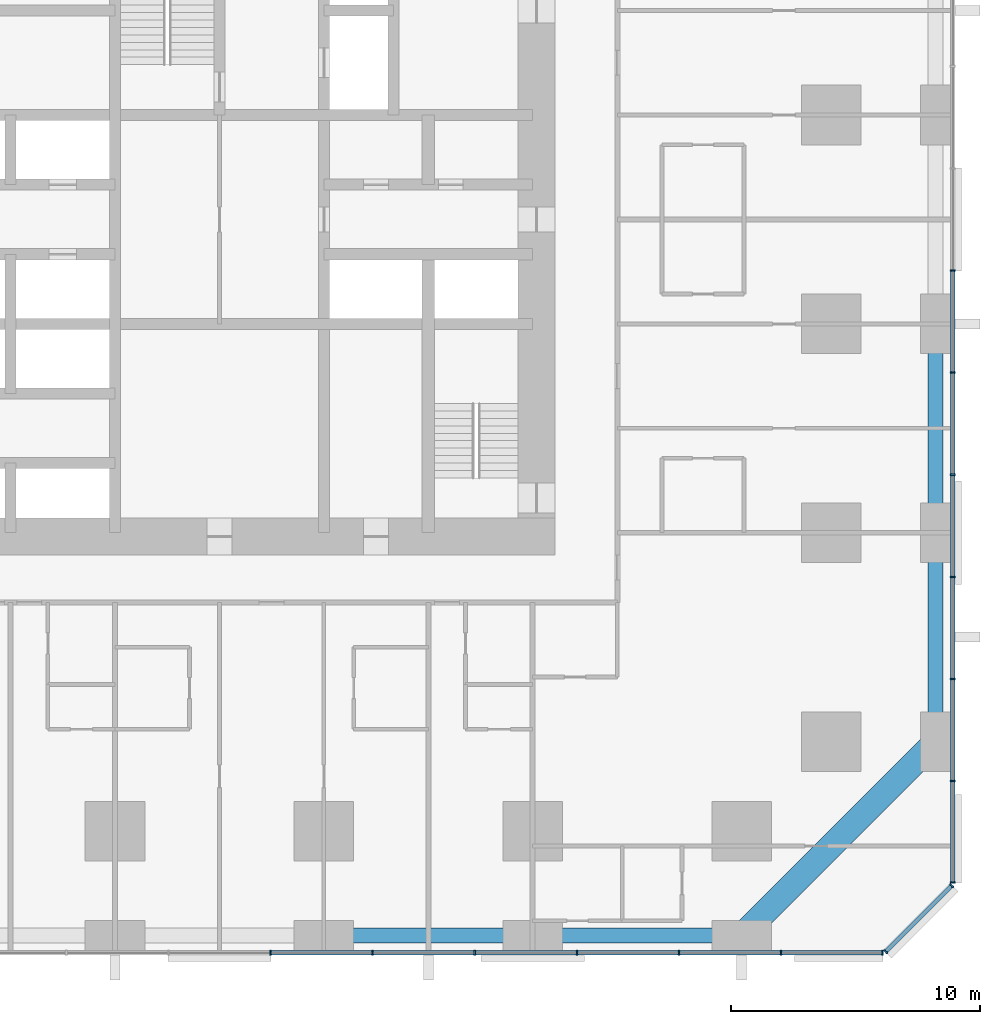
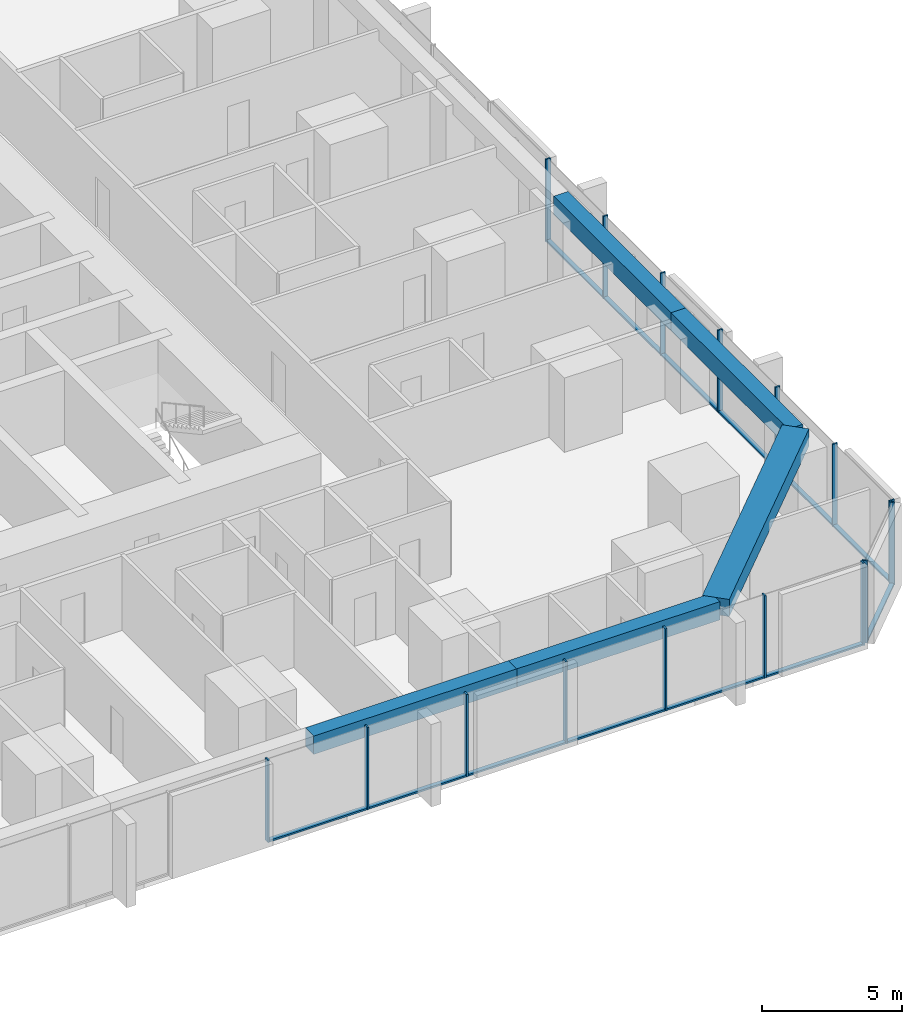
# One storey, part 4 of 17: 29 members, 5 beams, 3 elements without a shape of their own.
"""IFC4 building model written with IfcOpenShell, lengths in metres."""

from ifc_helpers import new_model, si_unit, direction, frame, origin, origin_2d, place, context, subcontext, project, spatial, rectangle, extrude, material, material_profile, profile_set, type_object, element, aggregate, save


model = new_model("IFC4")

# Units and contexts
model_context = context("Model", 3, precision=1e-05, world=origin(), true_north=direction((0.0, 1.0)))
body_context = subcontext(model_context, "Body", "Model", "MODEL_VIEW")
ifc_project = project(units=[si_unit("LENGTHUNIT", "METRE"), si_unit("AREAUNIT", "SQUARE_METRE"), si_unit("VOLUMEUNIT", "CUBIC_METRE"), si_unit("PLANEANGLEUNIT", "RADIAN"), si_unit("MASSUNIT", "GRAM", prefix="KILO")], contexts=[model_context])

# Site, building, storey
site_placement = place(None, origin())
site = spatial("IfcSite", under=ifc_project, at=site_placement, CompositionType="ELEMENT")
building_placement = place(site_placement, origin())
building = spatial("IfcBuilding", under=site, at=building_placement, Name="Dunama Terrace Hotel", CompositionType="ELEMENT")
storey_placement = place(building_placement, frame((0.0, 0.0, 81.0)))
storey = spatial("IfcBuildingStorey", under=building, at=storey_placement, Name="L20", CompositionType="ELEMENT", Elevation=81.0)

# Curtain wall, members
ifc_material_1 = material(Name="Aluminium curtain wall system", Category="aluminium")
curtain_wall_type = type_object("IfcCurtainWallType", Name="Unitised fritted glass wall CW-A", PredefinedType="NOTDEFINED", material=ifc_material_1)
curtain_wall_1_placement = place(storey_placement, origin())
curtain_wall_1 = element("IfcCurtainWall", 1, at=curtain_wall_1_placement, inside=storey, type_object=curtain_wall_type, Name="Unitised fritted glass wall CW-A L20", PredefinedType="NOTDEFINED")
ifc_material_2 = material(Name="Aluminium mullion", Category="aluminium")
ifc_material_profile_1 = material_profile(ifc_material_2, rectangle(XDim=0.06494140625, YDim=0.199951171875, at=origin_2d()), Name="CWA MULLION 65X200")
ifc_profile_set_1 = profile_set([ifc_material_profile_1], Name="Aluminium mullion")
member_type_1 = type_object("IfcMemberType", Name="CWA mullion 65x200", PredefinedType="MULLION", material=ifc_profile_set_1)
member_1_placement = place(storey_placement, frame((31.4541015625, -0.10009765625, 0.0), z_axis=(0.0, 0.0, 1.0), x_axis=(1.0, 0.0, 0.0)))
member_1 = element("IfcMember", 2, at=member_1_placement, type_object=member_type_1, Name="CWA mullion", PredefinedType="MULLION", context=body_context, shape_type="SweptSolid", body=[
    extrude(rectangle(XDim=0.06494140625, YDim=0.199951171875, at=origin_2d()), origin(), (0.0, 0.0, 1.0), 3.60009765625),
])
member_2_placement = place(storey_placement, frame((35.56201171875, -0.10009765625, 0.0), z_axis=(0.0, 0.0, 1.0), x_axis=(1.0, 0.0, 0.0)))
member_2 = element("IfcMember", 3, at=member_2_placement, type_object=member_type_1, Name="CWA mullion", PredefinedType="MULLION", context=body_context, shape_type="SweptSolid", body=[
    extrude(rectangle(XDim=0.06494140625, YDim=0.199951171875, at=origin_2d()), origin(), (0.0, 0.0, 1.0), 3.60009765625),
])
member_3_placement = place(storey_placement, frame((39.6689453125, -0.10009765625, 0.0), z_axis=(0.0, 0.0, 1.0), x_axis=(1.0, 0.0, 0.0)))
member_3 = element("IfcMember", 4, at=member_3_placement, type_object=member_type_1, Name="CWA mullion", PredefinedType="MULLION", context=body_context, shape_type="SweptSolid", body=[
    extrude(rectangle(XDim=0.06494140625, YDim=0.199951171875, at=origin_2d()), origin(), (0.0, 0.0, 1.0), 3.60009765625),
])
member_4_placement = place(storey_placement, frame((43.777099609375, -0.10009765625, 0.0), z_axis=(0.0, 0.0, 1.0), x_axis=(1.0, 0.0, 0.0)))
member_4 = element("IfcMember", 5, at=member_4_placement, type_object=member_type_1, Name="CWA mullion", PredefinedType="MULLION", context=body_context, shape_type="SweptSolid", body=[
    extrude(rectangle(XDim=0.06494140625, YDim=0.199951171875, at=origin_2d()), origin(), (0.0, 0.0, 1.0), 3.60009765625),
])
member_5_placement = place(storey_placement, frame((47.885009765625, -0.10009765625, 0.0), z_axis=(0.0, 0.0, 1.0), x_axis=(1.0, 0.0, 0.0)))
member_5 = element("IfcMember", 6, at=member_5_placement, type_object=member_type_1, Name="CWA mullion", PredefinedType="MULLION", context=body_context, shape_type="SweptSolid", body=[
    extrude(rectangle(XDim=0.06494140625, YDim=0.199951171875, at=origin_2d()), origin(), (0.0, 0.0, 1.0), 3.60009765625),
])
member_6_placement = place(storey_placement, frame((51.991943359375, -0.10009765625, 0.0), z_axis=(0.0, 0.0, 1.0), x_axis=(1.0, 0.0, 0.0)))
member_6 = element("IfcMember", 7, at=member_6_placement, type_object=member_type_1, Name="CWA mullion", PredefinedType="MULLION", context=body_context, shape_type="SweptSolid", body=[
    extrude(rectangle(XDim=0.06494140625, YDim=0.199951171875, at=origin_2d()), origin(), (0.0, 0.0, 1.0), 3.60009765625),
])
member_7_placement = place(storey_placement, frame((56.06689453125, -0.10009765625, 0.0), z_axis=(0.0, 0.0, 1.0), x_axis=(1.0, 0.0, 0.0)))
member_7 = element("IfcMember", 8, at=member_7_placement, type_object=member_type_1, Name="CWA mullion", PredefinedType="MULLION", context=body_context, shape_type="SweptSolid", body=[
    extrude(rectangle(XDim=0.06494140625, YDim=0.199951171875, at=origin_2d()), origin(), (0.0, 0.0, 1.0), 3.60009765625),
])

curtain_wall_2_placement = place(storey_placement, origin())
curtain_wall_2 = element("IfcCurtainWall", 9, at=curtain_wall_2_placement, inside=storey, type_object=curtain_wall_type, Name="Unitised fritted glass wall CW-A L20", PredefinedType="NOTDEFINED")
member_8_placement = place(storey_placement, frame((56.194091796875, -0.048095703125, 0.0), z_axis=(0.0, 0.0, 1.0), x_axis=(0.707106781187, 0.707106781187, 0.0)))
member_8 = element("IfcMember", 10, at=member_8_placement, type_object=member_type_1, Name="CWA mullion", PredefinedType="MULLION", context=body_context, shape_type="SweptSolid", body=[
    extrude(rectangle(XDim=0.06494140625, YDim=0.199951171875, at=origin_2d()), origin(), (0.0, 0.0, 1.0), 3.60009765625),
])
member_9_placement = place(storey_placement, frame((58.847900390625, 2.60595703125, 0.0), z_axis=(0.0, 0.0, 1.0), x_axis=(0.707106781187, 0.707106781187, 0.0)))
member_9 = element("IfcMember", 11, at=member_9_placement, type_object=member_type_1, Name="CWA mullion", PredefinedType="MULLION", context=body_context, shape_type="SweptSolid", body=[
    extrude(rectangle(XDim=0.06494140625, YDim=0.199951171875, at=origin_2d()), origin(), (0.0, 0.0, 1.0), 3.60009765625),
])

curtain_wall_3_placement = place(storey_placement, origin())
curtain_wall_3 = element("IfcCurtainWall", 12, at=curtain_wall_3_placement, inside=storey, type_object=curtain_wall_type, Name="Unitised fritted glass wall CW-A L20", PredefinedType="NOTDEFINED")
member_10_placement = place(storey_placement, frame((58.89990234375, 2.73291015625, 0.0), z_axis=(0.0, 0.0, 1.0), x_axis=(0.0, 1.0, 0.0)))
member_10 = element("IfcMember", 13, at=member_10_placement, type_object=member_type_1, Name="CWA mullion", PredefinedType="MULLION", context=body_context, shape_type="SweptSolid", body=[
    extrude(rectangle(XDim=0.06494140625, YDim=0.199951171875, at=origin_2d()), origin(), (0.0, 0.0, 1.0), 3.60009765625),
])
member_11_placement = place(storey_placement, frame((58.89990234375, 6.80810546875, 0.0), z_axis=(0.0, 0.0, 1.0), x_axis=(0.0, 1.0, 0.0)))
member_11 = element("IfcMember", 14, at=member_11_placement, type_object=member_type_1, Name="CWA mullion", PredefinedType="MULLION", context=body_context, shape_type="SweptSolid", body=[
    extrude(rectangle(XDim=0.06494140625, YDim=0.199951171875, at=origin_2d()), origin(), (0.0, 0.0, 1.0), 3.60009765625),
])
member_12_placement = place(storey_placement, frame((58.89990234375, 10.9150390625, 0.0), z_axis=(0.0, 0.0, 1.0), x_axis=(0.0, 1.0, 0.0)))
member_12 = element("IfcMember", 15, at=member_12_placement, type_object=member_type_1, Name="CWA mullion", PredefinedType="MULLION", context=body_context, shape_type="SweptSolid", body=[
    extrude(rectangle(XDim=0.06494140625, YDim=0.199951171875, at=origin_2d()), origin(), (0.0, 0.0, 1.0), 3.60009765625),
])
member_13_placement = place(storey_placement, frame((58.89990234375, 15.02294921875, 0.0), z_axis=(0.0, 0.0, 1.0), x_axis=(0.0, 1.0, 0.0)))
member_13 = element("IfcMember", 16, at=member_13_placement, type_object=member_type_1, Name="CWA mullion", PredefinedType="MULLION", context=body_context, shape_type="SweptSolid", body=[
    extrude(rectangle(XDim=0.06494140625, YDim=0.199951171875, at=origin_2d()), origin(), (0.0, 0.0, 1.0), 3.60009765625),
])
member_14_placement = place(storey_placement, frame((58.89990234375, 19.131103515625, 0.0), z_axis=(0.0, 0.0, 1.0), x_axis=(0.0, 1.0, 0.0)))
member_14 = element("IfcMember", 17, at=member_14_placement, type_object=member_type_1, Name="CWA mullion", PredefinedType="MULLION", context=body_context, shape_type="SweptSolid", body=[
    extrude(rectangle(XDim=0.06494140625, YDim=0.199951171875, at=origin_2d()), origin(), (0.0, 0.0, 1.0), 3.60009765625),
])
member_15_placement = place(storey_placement, frame((58.89990234375, 23.238037109375, 0.0), z_axis=(0.0, 0.0, 1.0), x_axis=(0.0, 1.0, 0.0)))
member_15 = element("IfcMember", 18, at=member_15_placement, type_object=member_type_1, Name="CWA mullion", PredefinedType="MULLION", context=body_context, shape_type="SweptSolid", body=[
    extrude(rectangle(XDim=0.06494140625, YDim=0.199951171875, at=origin_2d()), origin(), (0.0, 0.0, 1.0), 3.60009765625),
])
member_16_placement = place(storey_placement, frame((58.89990234375, 27.345947265625, 0.0), z_axis=(0.0, 0.0, 1.0), x_axis=(0.0, 1.0, 0.0)))
member_16 = element("IfcMember", 19, at=member_16_placement, type_object=member_type_1, Name="CWA mullion", PredefinedType="MULLION", context=body_context, shape_type="SweptSolid", body=[
    extrude(rectangle(XDim=0.06494140625, YDim=0.199951171875, at=origin_2d()), origin(), (0.0, 0.0, 1.0), 3.60009765625),
])

# Member
ifc_material_3 = material(Name="Aluminium transom", Category="aluminium")
ifc_material_profile_2 = material_profile(ifc_material_3, rectangle(XDim=0.179931640625, YDim=0.074951171875, at=origin_2d()), Name="CWA TRANSOM 180X75")
ifc_profile_set_2 = profile_set([ifc_material_profile_2], Name="Aluminium transom")
member_type_2 = type_object("IfcMemberType", Name="CWA transom 180x75", PredefinedType="USERDEFINED", material=ifc_profile_set_2)
member_17_placement = place(storey_placement, frame((31.486083984375, -0.10009765625, 0.03759765625), z_axis=(1.0, 0.0, 0.0), x_axis=(0.0, 1.0, 0.0)))
member_17 = element("IfcMember", 20, at=member_17_placement, type_object=member_type_2, Name="CWA transom", ObjectType="TRANSOM", PredefinedType="USERDEFINED", context=body_context, shape_type="SweptSolid", body=[
    extrude(rectangle(XDim=0.179931640625, YDim=0.074951171875, at=origin_2d()), origin(), (0.0, 0.0, 1.0), 4.04296875),
])

member_18_placement = place(storey_placement, frame((35.593994140625, -0.10009765625, 0.03759765625), z_axis=(1.0, 0.0, 0.0), x_axis=(0.0, 1.0, 0.0)))
member_18 = element("IfcMember", 21, at=member_18_placement, type_object=member_type_2, Name="CWA transom", ObjectType="TRANSOM", PredefinedType="USERDEFINED", context=body_context, shape_type="SweptSolid", body=[
    extrude(rectangle(XDim=0.179931640625, YDim=0.074951171875, at=origin_2d()), origin(), (0.0, 0.0, 1.0), 4.04296875),
])

member_19_placement = place(storey_placement, frame((39.701904296875, -0.10009765625, 0.03759765625), z_axis=(1.0, 0.0, 0.0), x_axis=(0.0, 1.0, 0.0)))
member_19 = element("IfcMember", 22, at=member_19_placement, type_object=member_type_2, Name="CWA transom", ObjectType="TRANSOM", PredefinedType="USERDEFINED", context=body_context, shape_type="SweptSolid", body=[
    extrude(rectangle(XDim=0.179931640625, YDim=0.074951171875, at=origin_2d()), origin(), (0.0, 0.0, 1.0), 4.0419921875),
])

member_20_placement = place(storey_placement, frame((43.80908203125, -0.10009765625, 0.03759765625), z_axis=(1.0, 0.0, 0.0), x_axis=(0.0, 1.0, 0.0)))
member_20 = element("IfcMember", 23, at=member_20_placement, type_object=member_type_2, Name="CWA transom", ObjectType="TRANSOM", PredefinedType="USERDEFINED", context=body_context, shape_type="SweptSolid", body=[
    extrude(rectangle(XDim=0.179931640625, YDim=0.074951171875, at=origin_2d()), origin(), (0.0, 0.0, 1.0), 4.04296875),
])

member_21_placement = place(storey_placement, frame((47.9169921875, -0.10009765625, 0.03759765625), z_axis=(1.0, 0.0, 0.0), x_axis=(0.0, 1.0, 0.0)))
member_21 = element("IfcMember", 24, at=member_21_placement, type_object=member_type_2, Name="CWA transom", ObjectType="TRANSOM", PredefinedType="USERDEFINED", context=body_context, shape_type="SweptSolid", body=[
    extrude(rectangle(XDim=0.179931640625, YDim=0.074951171875, at=origin_2d()), origin(), (0.0, 0.0, 1.0), 4.04296875),
])

member_22_placement = place(storey_placement, frame((52.02490234375, -0.10009765625, 0.03759765625), z_axis=(1.0, 0.0, 0.0), x_axis=(0.0, 1.0, 0.0)))
member_22 = element("IfcMember", 25, at=member_22_placement, type_object=member_type_2, Name="CWA transom", ObjectType="TRANSOM", PredefinedType="USERDEFINED", context=body_context, shape_type="SweptSolid", body=[
    extrude(rectangle(XDim=0.179931640625, YDim=0.074951171875, at=origin_2d()), origin(), (0.0, 0.0, 1.0), 4.010009765625),
])

aggregate(curtain_wall_1, [member_1, member_2, member_3, member_4, member_5, member_6, member_7, member_17, member_18, member_19, member_20, member_21, member_22])

member_23_placement = place(storey_placement, frame((56.217041015625, -0.02490234375, 0.03759765625), z_axis=(0.707106781187, 0.707106781187, 0.0), x_axis=(-0.707106781187, 0.707106781187, 0.0)))
member_23 = element("IfcMember", 26, at=member_23_placement, type_object=member_type_2, Name="CWA transom", ObjectType="TRANSOM", PredefinedType="USERDEFINED", context=body_context, shape_type="SweptSolid", body=[
    extrude(rectangle(XDim=0.179931640625, YDim=0.074951171875, at=origin_2d()), origin(), (0.0, 0.0, 1.0), 3.688232421875),
])

aggregate(curtain_wall_2, [member_8, member_9, member_23])

member_24_placement = place(storey_placement, frame((58.89990234375, 2.764892578125, 0.03759765625), z_axis=(0.0, 1.0, 0.0), x_axis=(-1.0, 0.0, 0.0)))
member_24 = element("IfcMember", 27, at=member_24_placement, type_object=member_type_2, Name="CWA transom", ObjectType="TRANSOM", PredefinedType="USERDEFINED", context=body_context, shape_type="SweptSolid", body=[
    extrude(rectangle(XDim=0.179931640625, YDim=0.074951171875, at=origin_2d()), origin(), (0.0, 0.0, 1.0), 4.010009765625),
])

member_25_placement = place(storey_placement, frame((58.89990234375, 6.840087890625, 0.03759765625), z_axis=(0.0, 1.0, 0.0), x_axis=(-1.0, 0.0, 0.0)))
member_25 = element("IfcMember", 28, at=member_25_placement, type_object=member_type_2, Name="CWA transom", ObjectType="TRANSOM", PredefinedType="USERDEFINED", context=body_context, shape_type="SweptSolid", body=[
    extrude(rectangle(XDim=0.179931640625, YDim=0.074951171875, at=origin_2d()), origin(), (0.0, 0.0, 1.0), 4.04296875),
])

member_26_placement = place(storey_placement, frame((58.89990234375, 10.947998046875, 0.03759765625), z_axis=(0.0, 1.0, 0.0), x_axis=(-1.0, 0.0, 0.0)))
member_26 = element("IfcMember", 29, at=member_26_placement, type_object=member_type_2, Name="CWA transom", ObjectType="TRANSOM", PredefinedType="USERDEFINED", context=body_context, shape_type="SweptSolid", body=[
    extrude(rectangle(XDim=0.179931640625, YDim=0.074951171875, at=origin_2d()), origin(), (0.0, 0.0, 1.0), 4.04296875),
])

member_27_placement = place(storey_placement, frame((58.89990234375, 15.055908203125, 0.03759765625), z_axis=(0.0, 1.0, 0.0), x_axis=(-1.0, 0.0, 0.0)))
member_27 = element("IfcMember", 30, at=member_27_placement, type_object=member_type_2, Name="CWA transom", ObjectType="TRANSOM", PredefinedType="USERDEFINED", context=body_context, shape_type="SweptSolid", body=[
    extrude(rectangle(XDim=0.179931640625, YDim=0.074951171875, at=origin_2d()), origin(), (0.0, 0.0, 1.0), 4.0419921875),
])

member_28_placement = place(storey_placement, frame((58.89990234375, 19.1630859375, 0.03759765625), z_axis=(0.0, 1.0, 0.0), x_axis=(-1.0, 0.0, 0.0)))
member_28 = element("IfcMember", 31, at=member_28_placement, type_object=member_type_2, Name="CWA transom", ObjectType="TRANSOM", PredefinedType="USERDEFINED", context=body_context, shape_type="SweptSolid", body=[
    extrude(rectangle(XDim=0.179931640625, YDim=0.074951171875, at=origin_2d()), origin(), (0.0, 0.0, 1.0), 4.04296875),
])

member_29_placement = place(storey_placement, frame((58.89990234375, 23.27099609375, 0.03759765625), z_axis=(0.0, 1.0, 0.0), x_axis=(-1.0, 0.0, 0.0)))
member_29 = element("IfcMember", 32, at=member_29_placement, type_object=member_type_2, Name="CWA transom", ObjectType="TRANSOM", PredefinedType="USERDEFINED", context=body_context, shape_type="SweptSolid", body=[
    extrude(rectangle(XDim=0.179931640625, YDim=0.074951171875, at=origin_2d()), origin(), (0.0, 0.0, 1.0), 4.04296875),
])

aggregate(curtain_wall_3, [member_10, member_11, member_12, member_13, member_14, member_15, member_16, member_24, member_25, member_26, member_27, member_28, member_29])

# Beams
ifc_material_4 = material(Name="Concrete C50/60", Category="concrete")
ifc_material_profile_3 = material_profile(ifc_material_4, rectangle(XDim=1.0, YDim=0.75, at=origin_2d()), Name="RC 1000x750")
ifc_profile_set_3 = profile_set([ifc_material_profile_3], Name="Concrete C50/60")
beam_type_1 = type_object("IfcBeamType", Name="Edge beam RC 1000x750", PredefinedType="SPANDREL", material=ifc_profile_set_3)
beam_1_placement = place(storey_placement, frame((50.39990234375, 0.60009765625, 3.22509765625), z_axis=(0.707117847453, 0.707095714747, 0.0), x_axis=(-0.707095714747, 0.707117847453, 0.0)))
element("IfcBeam", 33, at=beam_1_placement, inside=storey, type_object=beam_type_1, Name="Corner edge beam under L21", PredefinedType="SPANDREL", context=body_context, shape_type="SweptSolid", body=[
    extrude(rectangle(XDim=1.0, YDim=0.75, at=origin_2d()), origin(), (0.0, 0.0, 1.0), 11.03076171875),
])
ifc_material_5 = material(Name="Concrete C40/50", Category="concrete")
ifc_material_profile_4 = material_profile(ifc_material_5, rectangle(XDim=0.60009765625, YDim=0.800048828125, at=origin_2d()), Name="RC 600x800")
ifc_profile_set_4 = profile_set([ifc_material_profile_4], Name="Concrete C40/50")
beam_type_2 = type_object("IfcBeamType", Name="Edge beam RC 600x800", PredefinedType="SPANDREL", material=ifc_profile_set_4)
beam_2_placement = place(storey_placement, frame((58.199951171875, 8.39990234375, 3.199951171875), z_axis=(0.0, 1.0, 0.0), x_axis=(-1.0, 0.0, 0.0)))
element("IfcBeam", 34, at=beam_2_placement, inside=storey, type_object=beam_type_2, Name="Edge beam under L21", PredefinedType="SPANDREL", context=body_context, shape_type="SweptSolid", body=[
    extrude(rectangle(XDim=0.60009765625, YDim=0.800048828125, at=origin_2d()), origin(), (0.0, 0.0, 1.0), 8.400146484375),
])
for number, where, z_axis, x_axis, name in (
    (35, (58.199951171875, 16.800048828125, 3.199951171875), (0.0, 1.0, 0.0), (-1.0, 0.0, 0.0), "Edge beam under L21"),
    (36, (33.60009765625, 0.60009765625, 3.199951171875), (1.0, 0.0, 0.0), (0.0, 1.0, 0.0), "Edge beam under L21"),
    (37, (42.0, 0.60009765625, 3.199951171875), (1.0, 0.0, 0.0), (0.0, 1.0, 0.0), "Edge beam under L21"),
):
    element("IfcBeam", number, at=place(storey_placement, frame(where, z_axis=z_axis, x_axis=x_axis)), inside=storey, type_object=beam_type_2, Name=name, PredefinedType="SPANDREL", context=body_context, shape_type="SweptSolid", body=[
        extrude(rectangle(XDim=0.60009765625, YDim=0.800048828125, at=origin_2d()), origin(), (0.0, 0.0, 1.0), 8.39990234375),
    ])

save(model, "model.ifc")
